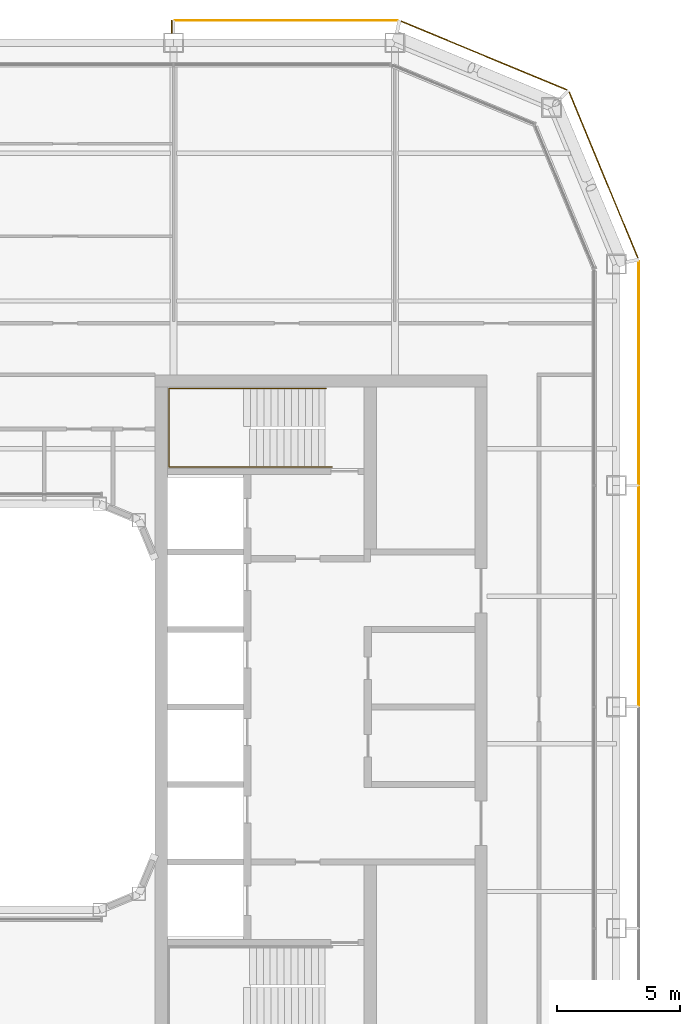
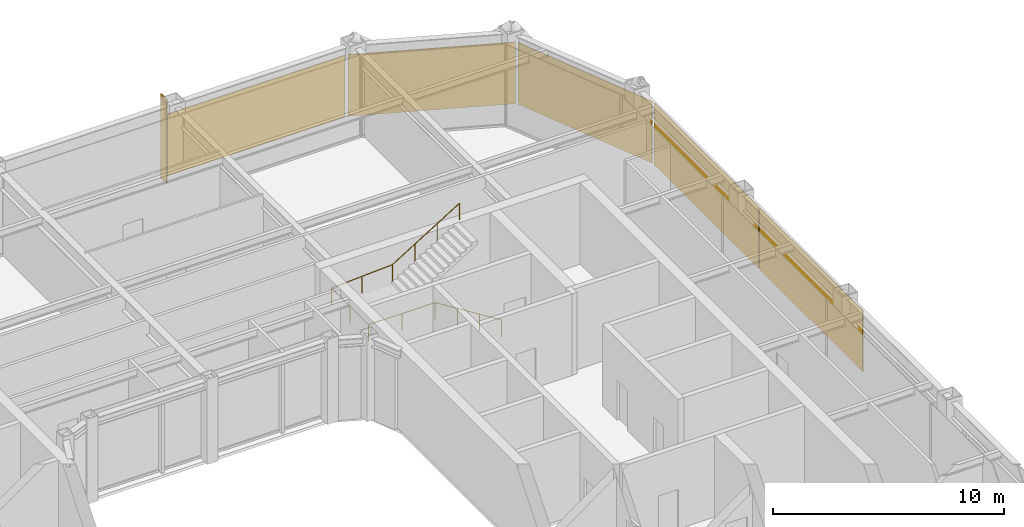
# One storey, part 22 of 23: 6 coverings, 1 railing.
"""IFC4 building model written with IfcOpenShell, lengths in metres."""

from ifc_helpers import new_model, si_unit, direction, frame, origin, origin_2d, place, context, subcontext, project, spatial, rectangle, circle, extrude, material, layer, layer_set, type_object, element, save


model = new_model("IFC4")

# Units and contexts
model_context = context("Model", 3, precision=1e-05, world=origin(), true_north=direction((0.0, 1.0)))
body_context = subcontext(model_context, "Body", "Model", "MODEL_VIEW")
ifc_project = project(units=[si_unit("LENGTHUNIT", "METRE"), si_unit("AREAUNIT", "SQUARE_METRE"), si_unit("VOLUMEUNIT", "CUBIC_METRE"), si_unit("PLANEANGLEUNIT", "RADIAN"), si_unit("MASSUNIT", "GRAM", prefix="KILO")], contexts=[model_context])

# Site, building, storey
site_placement = place(None, origin())
site = spatial("IfcSite", under=ifc_project, at=site_placement, CompositionType="ELEMENT")
building_placement = place(site_placement, origin())
building = spatial("IfcBuilding", under=site, at=building_placement, Name="Siwar Civic Tower", CompositionType="ELEMENT")
storey_placement = place(building_placement, frame((0.0, 0.0, 273.699951171875)))
storey = spatial("IfcBuildingStorey", under=building, at=storey_placement, Name="L59", CompositionType="ELEMENT", Elevation=273.699951171875)

# Railing
ifc_material_1 = material(Name="Stainless steel", Category="steel")
railing_type = type_object("IfcRailingType", Name="CORE-STAIR-HANDRAIL", PredefinedType="HANDRAIL", material=ifc_material_1)
railing_placement = place(storey_placement, frame((15.449951171875, 9.758056640625, 0.173095703125)))
element("IfcRailing", 1, at=railing_placement, inside=storey, type_object=railing_type, Name="Stair handrail ST3", PredefinedType="HANDRAIL", context=body_context, shape_type="SweptSolid", body=[
    extrude(circle(Radius=0.02001953125, at=origin_2d()), frame((0.0, 0.0, 0.8798828125), z_axis=(-0.847063342986, 0.0, 0.531491950051), x_axis=(0.0, -1.0, 0.0)), (0.0, 0.0, 1.0), 3.90771484375),
    extrude(circle(Radius=0.02001953125, at=origin_2d()), frame((-3.31005859375, 0.0, 2.956787109375), z_axis=(-1.0, 0.0, 0.0), x_axis=(0.0, -1.0, 0.0)), (0.0, 0.0, 1.0), 3.331787109375),
    extrude(circle(Radius=0.02001953125, at=origin_2d()), frame((-6.641845703125, 0.0, 2.956787109375), z_axis=(0.0, 1.0, 0.0), x_axis=(-1.0, 0.0, 0.0)), (0.0, 0.0, 1.0), 3.183837890625),
    extrude(circle(Radius=0.02001953125, at=origin_2d()), frame((-6.641845703125, 3.183837890625, 2.956787109375), z_axis=(0.99837434197, 0.0, 0.056997134106), x_axis=(0.0, 1.0, 0.0)), (0.0, 0.0, 1.0), 3.036865234375),
    extrude(circle(Radius=0.02001953125, at=origin_2d()), frame((-3.60986328125, 3.183837890625, 3.1298828125), z_axis=(0.850606129759, 0.0, 0.525803396734), x_axis=(0.0, 1.0, 0.0)), (0.0, 0.0, 1.0), 3.949951171875),
    extrude(circle(Radius=0.02001953125, at=origin_2d()), origin(), (0.0, 0.0, 1.0), 0.85986328125),
    extrude(circle(Radius=0.02001953125, at=origin_2d()), frame((-1.103271484375, 0.0, 0.6923828125)), (0.0, 0.0, 1.0), 0.85986328125),
    extrude(circle(Radius=0.02001953125, at=origin_2d()), frame((-2.206787109375, 0.0, 1.384521484375)), (0.0, 0.0, 1.0), 0.85986328125),
    extrude(circle(Radius=0.02001953125, at=origin_2d()), frame((-3.31005859375, 0.0, 2.076904296875)), (0.0, 0.0, 1.0), 0.85986328125),
    extrude(circle(Radius=0.02001953125, at=origin_2d()), frame((-4.97607421875, 0.0, 2.076904296875)), (0.0, 0.0, 1.0), 0.85986328125),
    extrude(circle(Radius=0.02001953125, at=origin_2d()), frame((-6.641845703125, 0.0, 2.076904296875)), (0.0, 0.0, 1.0), 0.85986328125),
    extrude(circle(Radius=0.02001953125, at=origin_2d()), frame((-6.641845703125, 1.591796875, 2.076904296875)), (0.0, 0.0, 1.0), 0.85986328125),
    extrude(circle(Radius=0.02001953125, at=origin_2d()), frame((-6.641845703125, 3.183837890625, 2.076904296875)), (0.0, 0.0, 1.0), 0.85986328125),
    extrude(circle(Radius=0.02001953125, at=origin_2d()), frame((-5.1259765625, 3.183837890625, 2.16357421875)), (0.0, 0.0, 1.0), 0.85986328125),
    extrude(circle(Radius=0.02001953125, at=origin_2d()), frame((-3.60986328125, 3.183837890625, 2.25)), (0.0, 0.0, 1.0), 0.85986328125),
    extrude(circle(Radius=0.02001953125, at=origin_2d()), frame((-2.489990234375, 3.183837890625, 2.9423828125)), (0.0, 0.0, 1.0), 0.85986328125),
    extrude(circle(Radius=0.02001953125, at=origin_2d()), frame((-1.369873046875, 3.183837890625, 3.634521484375)), (0.0, 0.0, 1.0), 0.85986328125),
    extrude(circle(Radius=0.02001953125, at=origin_2d()), frame((-0.25, 3.183837890625, 4.326904296875)), (0.0, 0.0, 1.0), 0.85986328125),
])

# Coverings
ifc_material_2 = material(Name="Perforated aluminium cassette, pale metal", Category="aluminium")
ifc_layer_1 = layer(ifc_material_2, 0.0400390625)
ifc_layer_set_1 = layer_set([ifc_layer_1], Name="Perforated aluminium cassette, pale metal")
covering_type_1 = type_object("IfcCoveringType", Name="ENV-OUTER SKIN OS-1", PredefinedType="CLADDING", material=ifc_layer_set_1)
covering_1_placement = place(storey_placement, frame((27.89990234375, 4.5, -0.14990234375), z_axis=(0.0, 0.0, 1.0), x_axis=(0.0, 1.0, 0.0)))
element("IfcCovering", 2, at=covering_1_placement, inside=storey, type_object=covering_type_1, Name="OUTER SKIN OS-1 E 3", PredefinedType="CLADDING", context=body_context, shape_type="SweptSolid", body=[
    extrude(rectangle(XDim=8.89990234375, YDim=0.0400390625, at=origin_2d()), origin(), (0.0, 0.0, 1.0), 3.25),
])
covering_2_placement = place(storey_placement, frame((27.89990234375, 13.57958984375, -0.14990234375), z_axis=(0.0, 0.0, 1.0), x_axis=(0.0, 1.0, 0.0)))
element("IfcCovering", 3, at=covering_2_placement, inside=storey, type_object=covering_type_1, Name="OUTER SKIN OS-1 E 4", PredefinedType="CLADDING", context=body_context, shape_type="SweptSolid", body=[
    extrude(rectangle(XDim=9.05908203125, YDim=0.0400390625, at=origin_2d()), origin(), (0.0, 0.0, 1.0), 3.25),
])
for number, where, z_axis, x_axis, name in (
    (4, (26.476318359375, 21.615966796875, -0.14990234375), (0.0, 0.0, 1.0), (-0.382683432365, 0.923879532511, 0.0), "OUTER SKIN OS-1 NE1 1"),
    (5, (21.615966796875, 26.476318359375, -0.14990234375), (0.0, 0.0, 1.0), (-0.923879532511, 0.382683432365, 0.0), "OUTER SKIN OS-1 NE2 1"),
):
    element("IfcCovering", number, at=place(storey_placement, frame(where, z_axis=z_axis, x_axis=x_axis)), inside=storey, type_object=covering_type_1, Name=name, PredefinedType="CLADDING", context=body_context, shape_type="SweptSolid", body=[
        extrude(rectangle(XDim=7.300048828125, YDim=0.0400390625, at=origin_2d()), origin(), (0.0, 0.0, 1.0), 3.25),
    ])
covering_3_placement = place(storey_placement, frame((13.57958984375, 27.89990234375, -0.14990234375), z_axis=(0.0, 0.0, 1.0), x_axis=(-1.0, 0.0, 0.0)))
element("IfcCovering", 6, at=covering_3_placement, inside=storey, type_object=covering_type_1, Name="OUTER SKIN OS-1 N 1", PredefinedType="CLADDING", context=body_context, shape_type="SweptSolid", body=[
    extrude(rectangle(XDim=9.05908203125, YDim=0.0400390625, at=origin_2d()), origin(), (0.0, 0.0, 1.0), 3.25),
])
ifc_material_3 = material(Name="Perforated aluminium cassette, pale metal", Category="aluminium")
ifc_layer_2 = layer(ifc_material_3, 0.050048828125)
ifc_layer_set_2 = layer_set([ifc_layer_2], Name="Perforated aluminium cassette, pale metal")
covering_type_2 = type_object("IfcCoveringType", Name="ENV-PORTAL FRAME", PredefinedType="CLADDING", material=ifc_layer_set_2)
covering_4_placement = place(storey_placement, frame((8.925048828125, 27.639892578125, -0.14990234375), z_axis=(0.0, 0.0, 1.0), x_axis=(1.0, 0.0, 0.0)))
element("IfcCovering", 7, at=covering_4_placement, inside=storey, type_object=covering_type_2, Name="PORTAL FRAME return plate N L59", PredefinedType="CLADDING", context=body_context, shape_type="SweptSolid", body=[
    extrude(rectangle(XDim=0.050048828125, YDim=0.52001953125, at=origin_2d()), origin(), (0.0, 0.0, 1.0), 4.449951171875),
])

save(model, "model.ifc")
